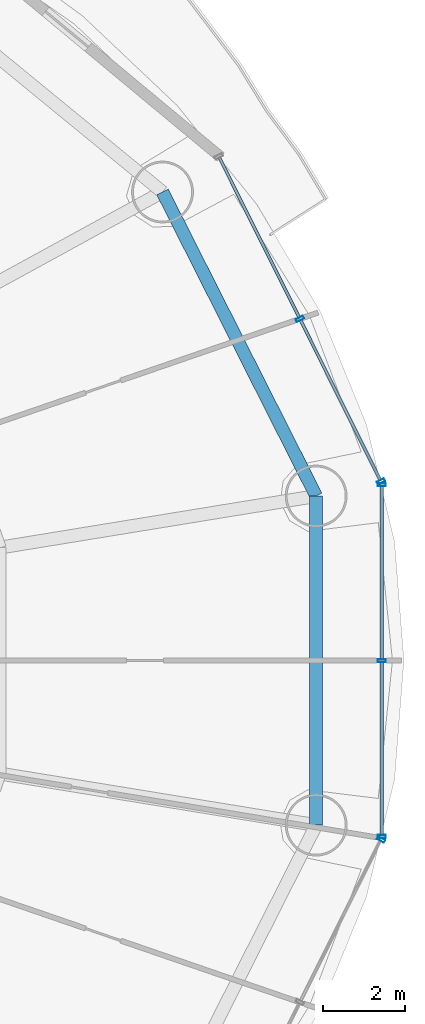
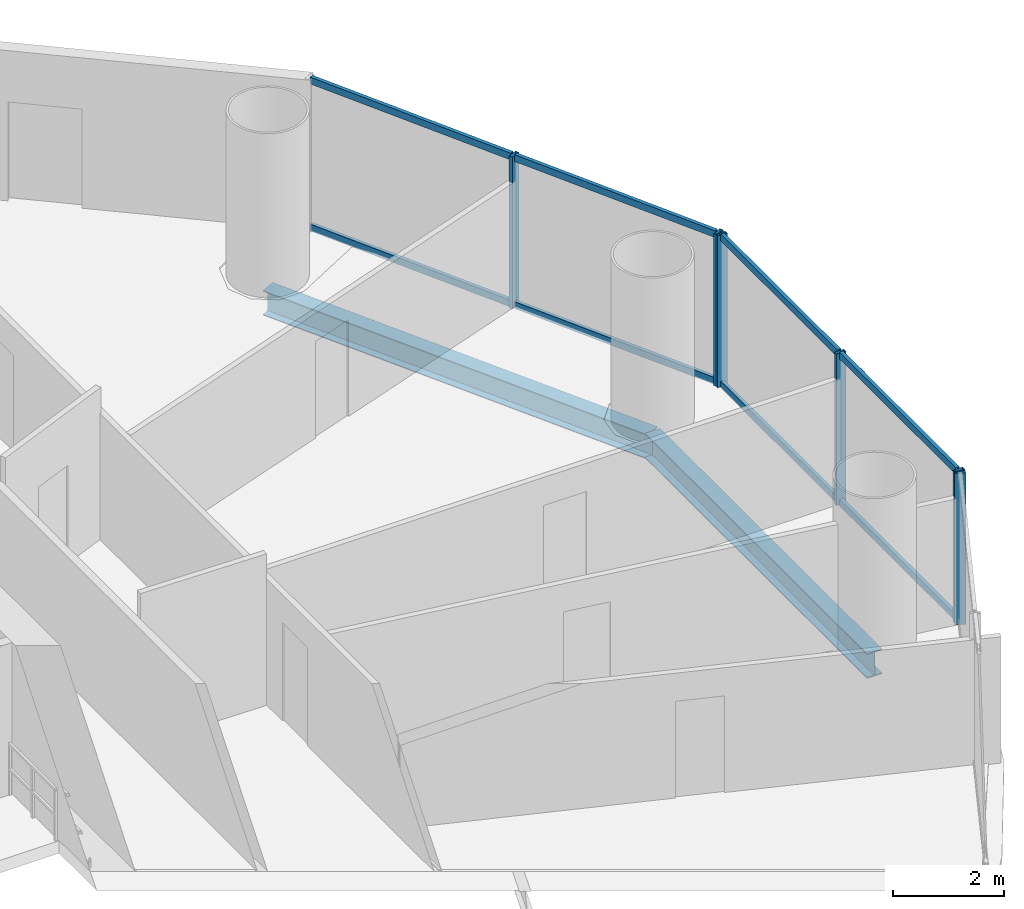
# One storey, part 15 of 29: 14 members, 2 beams, 3 elements without a shape of their own.
"""IFC4 building model written with IfcOpenShell, lengths in metres."""

from ifc_helpers import new_model, si_unit, direction, frame, origin, origin_2d, place, context, subcontext, project, spatial, hollow_rectangle, i_section, extrude, source, transform, mapped, material, material_profile, profile_set, type_object, element, aggregate, save


model = new_model("IFC4")

# Units and contexts
model_context = context("Model", 3, precision=1e-05, world=origin(), true_north=direction((-0.2419218956, 0.970295726276)))
body_context = subcontext(model_context, "Body", "Model", "MODEL_VIEW")
ifc_project = project(units=[si_unit("LENGTHUNIT", "METRE"), si_unit("AREAUNIT", "SQUARE_METRE"), si_unit("VOLUMEUNIT", "CUBIC_METRE"), si_unit("PLANEANGLEUNIT", "RADIAN"), si_unit("MASSUNIT", "GRAM", prefix="KILO")], contexts=[model_context])

# Site, building, storey
site_placement = place(None, origin())
site = spatial("IfcSite", under=ifc_project, at=site_placement, CompositionType="ELEMENT")
building_placement = place(site_placement, origin())
building = spatial("IfcBuilding", under=site, at=building_placement, Name="Cobrevalo Terracotta Tower", CompositionType="ELEMENT")
storey_placement = place(building_placement, frame((0.0, 0.0, 112.199951171875)))
storey = spatial("IfcBuildingStorey", under=building, at=storey_placement, Name="L29", CompositionType="ELEMENT", Elevation=112.199951171875)

# Beams
ifc_material_1 = material(Name="Steel S355", Category="steel")
ifc_material_profile_1 = material_profile(ifc_material_1, i_section(OverallWidth=0.31201171875, OverallDepth=0.54296875, WebThickness=0.0126953125, FlangeThickness=0.020263671875, at=origin_2d()), Name="W 530x150")
ifc_profile_set_1 = profile_set([ifc_material_profile_1], Name="Steel S355")
beam_type = type_object("IfcBeamType", Name="Structural Spandrel W 530x150 (Steel S355)", PredefinedType="SPANDREL", material=ifc_profile_set_1)
beam_1_placement = place(storey_placement, frame((62.470703125, 30.78955078125, -0.54638671875), z_axis=(-0.451051982172, 0.892497680321, 0.0), x_axis=(-0.892497680321, -0.451051982172, 0.0)))
element("IfcBeam", 1, at=beam_1_placement, inside=storey, type_object=beam_type, Name="L29 perimeter ring spandrel 01", PredefinedType="SPANDREL", context=body_context, shape_type="SweptSolid", body=[
    extrude(i_section(OverallWidth=0.31201171875, OverallDepth=0.54296875, WebThickness=0.0126953125, FlangeThickness=0.020263671875, at=origin_2d()), origin(), (0.0, 0.0, 1.0), 8.259765625),
])
beam_2_placement = place(storey_placement, frame((62.470703125, 22.810302734375, -0.54638671875), z_axis=(0.0, 1.0, 0.0), x_axis=(-1.0, 0.0, 0.0)))
element("IfcBeam", 2, at=beam_2_placement, inside=storey, type_object=beam_type, Name="L29 perimeter ring spandrel 16", PredefinedType="SPANDREL", context=body_context, shape_type="SweptSolid", body=[
    extrude(i_section(OverallWidth=0.31201171875, OverallDepth=0.54296875, WebThickness=0.0126953125, FlangeThickness=0.020263671875, at=origin_2d()), origin(), (0.0, 0.0, 1.0), 7.979248046875),
])

# Curtain wall, members
ifc_material_2 = material(Name="Anodized aluminium", Category="aluminium")
curtain_wall_type = type_object("IfcCurtainWallType", Name="Lower-tower unitised acoustic low-E curtain wall CW-U1", PredefinedType="NOTDEFINED", material=ifc_material_2)
curtain_wall_1_placement = place(storey_placement, origin())
curtain_wall_1 = element("IfcCurtainWall", 3, at=curtain_wall_1_placement, inside=storey, type_object=curtain_wall_type, Name="L29 curtain wall CW-L29-S16", PredefinedType="NOTDEFINED")
ifc_material_profile_2 = material_profile(ifc_material_2, hollow_rectangle(XDim=0.074951171875, YDim=0.14990234375, WallThickness=0.00439453125, at=origin_2d()), Name="CWT 75x150")
ifc_profile_set_2 = profile_set([ifc_material_profile_2], Name="Anodized aluminium")
member_type_1 = type_object("IfcMemberType", Name="Tower unitised aluminium transom 75x150", PredefinedType="USERDEFINED", material=ifc_profile_set_2)
shared_shape_1 = source(origin(), body_context, "Body", "SweptSolid", [
    extrude(hollow_rectangle(XDim=0.074951171875, YDim=0.14990234375, WallThickness=0.00439453125, at=origin_2d()), origin(), (0.0, 0.0, 1.0), 4.185546875),
])
member_1_placement = place(storey_placement, frame((64.0595703125, 22.574462890625, 0.050048828125), z_axis=(0.0, 1.0, 0.0), x_axis=(-1.0, 0.0, 0.0)))
member_1 = element("IfcMember", 4, at=member_1_placement, type_object=member_type_1, Name="CW-L29-S16 transom B01-T1", ObjectType="TRANSOM", PredefinedType="USERDEFINED", context=body_context, shape_type="MappedRepresentation", body=[
    mapped(shared_shape_1, transform((0.0, 0.0, 0.0), scale=1.0)),
])
member_2_placement = place(storey_placement, frame((64.0595703125, 22.574462890625, 3.275146484375), z_axis=(0.0, 1.0, 0.0), x_axis=(-1.0, 0.0, 0.0)))
member_2 = element("IfcMember", 5, at=member_2_placement, type_object=member_type_1, Name="CW-L29-S16 transom B01-T2", ObjectType="TRANSOM", PredefinedType="USERDEFINED", context=body_context, shape_type="MappedRepresentation", body=[
    mapped(shared_shape_1, transform((0.0, 0.0, 0.0), scale=1.0)),
])
member_3_placement = place(storey_placement, frame((64.0595703125, 26.840087890625, 0.050048828125), z_axis=(0.0, 1.0, 0.0), x_axis=(-1.0, 0.0, 0.0)))
member_3 = element("IfcMember", 6, at=member_3_placement, type_object=member_type_1, Name="CW-L29-S16 transom B02-T1", ObjectType="TRANSOM", PredefinedType="USERDEFINED", context=body_context, shape_type="MappedRepresentation", body=[
    mapped(shared_shape_1, transform((0.0, 0.0, 0.0), scale=1.0)),
])
member_4_placement = place(storey_placement, frame((64.0595703125, 26.840087890625, 3.275146484375), z_axis=(0.0, 1.0, 0.0), x_axis=(-1.0, 0.0, 0.0)))
member_4 = element("IfcMember", 7, at=member_4_placement, type_object=member_type_1, Name="CW-L29-S16 transom B02-T2", ObjectType="TRANSOM", PredefinedType="USERDEFINED", context=body_context, shape_type="MappedRepresentation", body=[
    mapped(shared_shape_1, transform((0.0, 0.0, 0.0), scale=1.0)),
])

curtain_wall_2_placement = place(storey_placement, origin())
curtain_wall_2 = element("IfcCurtainWall", 8, at=curtain_wall_2_placement, inside=storey, type_object=curtain_wall_type, Name="L29 curtain wall CW-L29-S01", PredefinedType="NOTDEFINED")
ifc_material_profile_3 = material_profile(ifc_material_2, hollow_rectangle(XDim=0.074951171875, YDim=0.199951171875, WallThickness=0.0048828125, at=origin_2d()), Name="CWM 75x200")
ifc_profile_set_3 = profile_set([ifc_material_profile_3], Name="Anodized aluminium")
member_type_2 = type_object("IfcMemberType", Name="Lower/mid tower unitised mullion 75x200", PredefinedType="MULLION", material=ifc_profile_set_3)
shared_shape_2 = source(origin(), body_context, "Body", "SweptSolid", [
    extrude(hollow_rectangle(XDim=0.074951171875, YDim=0.199951171875, WallThickness=0.0048828125, at=origin_2d()), origin(), (0.0, 0.0, 1.0), 3.324951171875),
])
member_5_placement = place(storey_placement, frame((64.04150390625, 31.141357421875, 0.0), z_axis=(0.0, 0.0, 1.0), x_axis=(-0.446260290227, 0.894903208937, 0.0)))
member_5 = element("IfcMember", 9, at=member_5_placement, type_object=member_type_2, Name="CW-L29-S01 vertical mullion 01", PredefinedType="MULLION", context=body_context, shape_type="MappedRepresentation", body=[
    mapped(shared_shape_2, transform((0.0, 0.0, 0.0), scale=1.0)),
])
member_6_placement = place(storey_placement, frame((62.075927734375, 35.08349609375, 0.0), z_axis=(0.0, 0.0, 1.0), x_axis=(-0.446260290227, 0.894903208937, 0.0)))
member_6 = element("IfcMember", 10, at=member_6_placement, type_object=member_type_2, Name="CW-L29-S01 vertical mullion 02", PredefinedType="MULLION", context=body_context, shape_type="MappedRepresentation", body=[
    mapped(shared_shape_2, transform((0.0, 0.0, 0.0), scale=1.0)),
])

# Curtain wall, member
curtain_wall_3_placement = place(storey_placement, origin())
curtain_wall_3 = element("IfcCurtainWall", 11, at=curtain_wall_3_placement, inside=storey, type_object=curtain_wall_type, Name="L29 curtain wall CW-L29-S15", PredefinedType="NOTDEFINED")
member_7_placement = place(storey_placement, frame((64.04150390625, 22.45849609375, 0.0), z_axis=(0.0, 0.0, 1.0), x_axis=(0.446260290227, 0.894903208937, 0.0)))
member_7 = element("IfcMember", 12, at=member_7_placement, type_object=member_type_2, Name="CW-L29-S15 vertical mullion 03", PredefinedType="MULLION", context=body_context, shape_type="MappedRepresentation", body=[
    mapped(shared_shape_2, transform((0.0, 0.0, 0.0), scale=1.0)),
])
aggregate(curtain_wall_3, [member_7])

# Member
member_8_placement = place(storey_placement, frame((64.0595703125, 22.534423828125, 0.0), z_axis=(0.0, 0.0, 1.0), x_axis=(0.0, 1.0, 0.0)))
member_8 = element("IfcMember", 13, at=member_8_placement, type_object=member_type_2, Name="CW-L29-S16 vertical mullion 01", PredefinedType="MULLION", context=body_context, shape_type="MappedRepresentation", body=[
    mapped(shared_shape_2, transform((0.0, 0.0, 0.0), scale=1.0)),
])

member_9_placement = place(storey_placement, frame((64.0595703125, 26.800048828125, 0.0), z_axis=(0.0, 0.0, 1.0), x_axis=(0.0, 1.0, 0.0)))
member_9 = element("IfcMember", 14, at=member_9_placement, type_object=member_type_2, Name="CW-L29-S16 vertical mullion 02", PredefinedType="MULLION", context=body_context, shape_type="MappedRepresentation", body=[
    mapped(shared_shape_2, transform((0.0, 0.0, 0.0), scale=1.0)),
])

member_10_placement = place(storey_placement, frame((64.0595703125, 31.065673828125, 0.0), z_axis=(0.0, 0.0, 1.0), x_axis=(0.0, 1.0, 0.0)))
member_10 = element("IfcMember", 15, at=member_10_placement, type_object=member_type_2, Name="CW-L29-S16 vertical mullion 03", PredefinedType="MULLION", context=body_context, shape_type="MappedRepresentation", body=[
    mapped(shared_shape_2, transform((0.0, 0.0, 0.0), scale=1.0)),
])

aggregate(curtain_wall_1, [member_8, member_9, member_10, member_1, member_2, member_3, member_4])

shared_shape_3 = source(origin(), body_context, "Body", "SweptSolid", [
    extrude(hollow_rectangle(XDim=0.074951171875, YDim=0.14990234375, WallThickness=0.00439453125, at=origin_2d()), origin(), (0.0, 0.0, 1.0), 4.324951171875),
])
member_11_placement = place(storey_placement, frame((64.023681640625, 31.17724609375, 0.050048828125), z_axis=(-0.446219838389, 0.894923379864, 0.0), x_axis=(-0.894923379864, -0.446219838389, 0.0)))
member_11 = element("IfcMember", 16, at=member_11_placement, type_object=member_type_1, Name="CW-L29-S01 transom B01-T1", ObjectType="TRANSOM", PredefinedType="USERDEFINED", context=body_context, shape_type="MappedRepresentation", body=[
    mapped(shared_shape_3, transform((0.0, 0.0, 0.0), scale=1.0)),
])

member_12_placement = place(storey_placement, frame((64.023681640625, 31.17724609375, 3.275146484375), z_axis=(-0.446219838389, 0.894923379864, 0.0), x_axis=(-0.894923379864, -0.446219838389, 0.0)))
member_12 = element("IfcMember", 17, at=member_12_placement, type_object=member_type_1, Name="CW-L29-S01 transom B01-T2", ObjectType="TRANSOM", PredefinedType="USERDEFINED", context=body_context, shape_type="MappedRepresentation", body=[
    mapped(shared_shape_3, transform((0.0, 0.0, 0.0), scale=1.0)),
])

member_13_placement = place(storey_placement, frame((62.057861328125, 35.119384765625, 0.050048828125), z_axis=(-0.44624238083, 0.894912139571, 0.0), x_axis=(-0.894912139571, -0.44624238083, 0.0)))
member_13 = element("IfcMember", 18, at=member_13_placement, type_object=member_type_1, Name="CW-L29-S01 transom B02-T1", ObjectType="TRANSOM", PredefinedType="USERDEFINED", context=body_context, shape_type="MappedRepresentation", body=[
    mapped(shared_shape_3, transform((0.0, 0.0, 0.0), scale=1.0)),
])

member_14_placement = place(storey_placement, frame((62.057861328125, 35.119384765625, 3.275146484375), z_axis=(-0.44624238083, 0.894912139571, 0.0), x_axis=(-0.894912139571, -0.44624238083, 0.0)))
member_14 = element("IfcMember", 19, at=member_14_placement, type_object=member_type_1, Name="CW-L29-S01 transom B02-T2", ObjectType="TRANSOM", PredefinedType="USERDEFINED", context=body_context, shape_type="MappedRepresentation", body=[
    mapped(shared_shape_3, transform((0.0, 0.0, 0.0), scale=1.0)),
])

aggregate(curtain_wall_2, [member_5, member_6, member_11, member_12, member_13, member_14])

save(model, "model.ifc")
